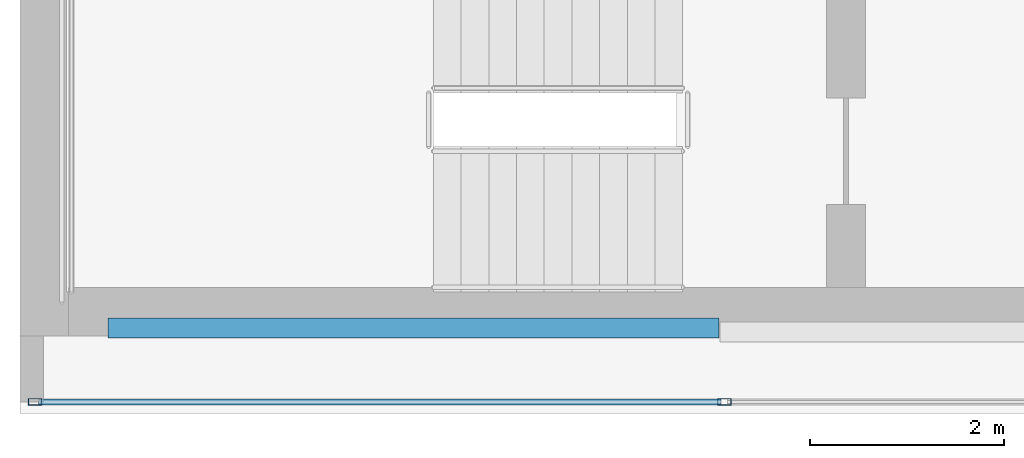
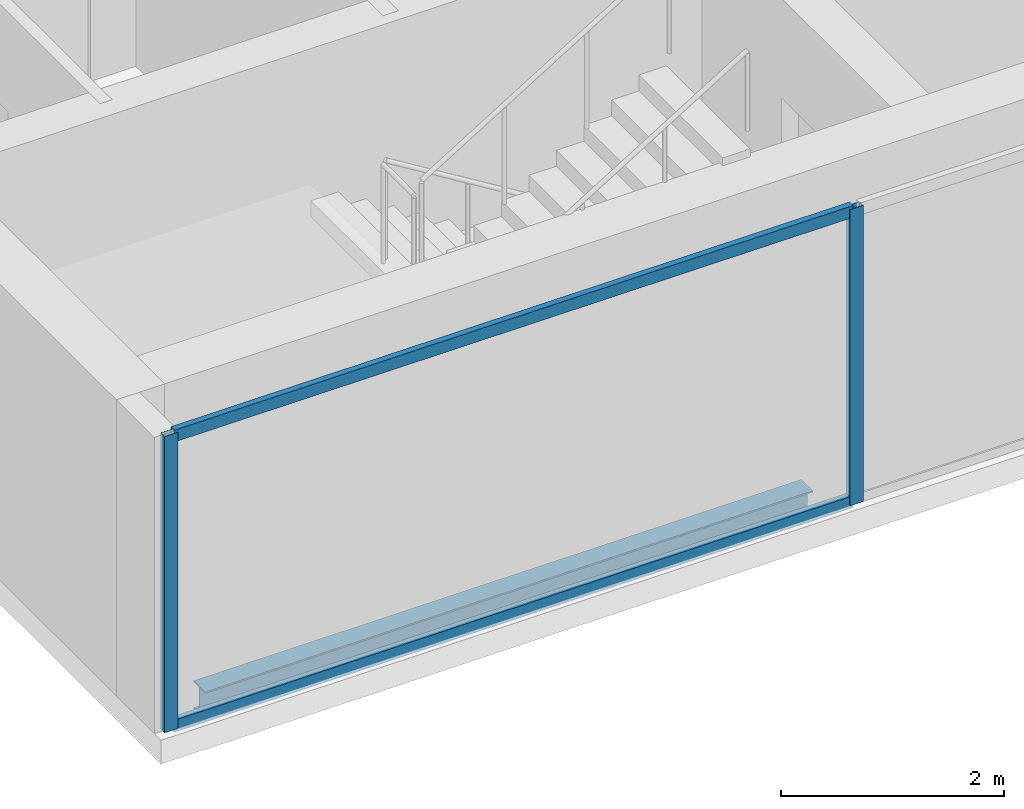
# One storey, part 2 of 23: 4 members, 1 beam, 1 element without a shape of its own.
"""IFC4 building model written with IfcOpenShell, lengths in metres."""

import ifcopenshell
import ifcopenshell.guid

model = None  # the IFC model being written
_history = None  # IfcOwnerHistory: only IFC2X3 demands one
_inside = {}  # id of a spatial element -> (the spatial element, [elements in it])
_under = {}  # id of a project, library or spatial element -> (it, [spatial elements below it])
_declared = {}  # id of a project -> (the project, [libraries it declares])
_typed = {}  # id of a type object -> (the type object, [elements of that type])
_made_of = {}  # id of a material, layer set ... -> (it, [elements and type objects made of it])


def new_model(schema):
    """Start an empty IFC model of exactly this schema.

    Asked for "IFC4X3", IfcOpenShell would pick the latest addendum, in which some entities
    have other attributes; the version numbers below select the first issue.
    IFC2X3 requires an IfcOwnerHistory on every rooted entity: one is made here for all.
    """
    global model, _history
    if schema == "IFC4X3":
        model = ifcopenshell.file(schema_version=(4, 3, 0, 0))
    else:
        model = ifcopenshell.file(schema=schema)
    _inside.clear()
    _under.clear()
    _declared.clear()
    _typed.clear()
    _made_of.clear()
    _history = None
    if model.schema == "IFC2X3":
        org = make("IfcOrganization", Name="unknown")
        user = make(
            "IfcPersonAndOrganization",
            ThePerson=make("IfcPerson", FamilyName="unknown"),
            TheOrganization=org,
        )
        app = make(
            "IfcApplication",
            ApplicationDeveloper=org,
            Version="unknown",
            ApplicationFullName="unknown",
            ApplicationIdentifier="unknown",
        )
        _history = make(
            "IfcOwnerHistory",
            OwningUser=user,
            OwningApplication=app,
            ChangeAction="ADDED",
            CreationDate=0,
        )
    return model


def make(cls, **values):
    """One entity of the class cls with the attributes given. An attribute that is None is left unset."""
    return model.create_entity(
        cls, **{name: value for name, value in values.items() if value is not None}
    )


def rooted(cls, **values):
    """An entity with a GlobalId (a new one), such as an element, a storey or a relation."""
    return make(cls, GlobalId=ifcopenshell.guid.new(), OwnerHistory=_history, **values)


def si_unit(unit_type, name, prefix=None):
    """IfcSIUnit, for example si_unit("LENGTHUNIT", "METRE", prefix="MILLI")."""
    return make("IfcSIUnit", UnitType=unit_type, Prefix=prefix, Name=name)


def assignment(units):
    """IfcUnitAssignment: the units of a project."""
    return None if units is None else make("IfcUnitAssignment", Units=units)


def point(xyz):
    """IfcCartesianPoint."""
    return None if xyz is None else make("IfcCartesianPoint", Coordinates=xyz)


def direction(xyz):
    """IfcDirection."""
    return None if xyz is None else make("IfcDirection", DirectionRatios=xyz)


def frame(location, z_axis=None, x_axis=None):
    """IfcAxis2Placement3D, a coordinate frame: its origin and axes. An axis left out is left unset."""
    return make(
        "IfcAxis2Placement3D",
        Location=point(location),
        Axis=direction(z_axis),
        RefDirection=direction(x_axis),
    )


def frame_2d(location, x_axis=None):
    """IfcAxis2Placement2D, a coordinate frame in the plane: its origin and x axis."""
    return make(
        "IfcAxis2Placement2D", Location=point(location), RefDirection=direction(x_axis)
    )


def origin():
    """The frame at (0, 0, 0) with its axes left unset."""
    return frame((0.0, 0.0, 0.0))


def origin_2d():
    """The frame at (0, 0) in the plane with its x axis left unset."""
    return frame_2d((0.0, 0.0))


def place(relative_to, where):
    """IfcLocalPlacement: puts the frame where relative to a parent placement (None: the world)."""
    return make(
        "IfcLocalPlacement", PlacementRelTo=relative_to, RelativePlacement=where
    )


def context(
    kind, dimensions, precision=None, world=None, true_north=None, identifier=None
):
    """IfcGeometricRepresentationContext, for example the 3D "Model" context."""
    return make(
        "IfcGeometricRepresentationContext",
        ContextIdentifier=identifier,
        ContextType=kind,
        CoordinateSpaceDimension=dimensions,
        Precision=precision,
        WorldCoordinateSystem=world,
        TrueNorth=true_north,
    )


def subcontext(parent, identifier, kind, view, scale=None):
    """IfcGeometricRepresentationSubContext, for example "Body" below "Model"."""
    return make(
        "IfcGeometricRepresentationSubContext",
        ContextIdentifier=identifier,
        ContextType=kind,
        ParentContext=parent,
        TargetScale=scale,
        TargetView=view,
    )


def project(units=None, contexts=None):
    """IfcProject with its units and contexts."""
    return rooted(
        "IfcProject",
        Name="project",
        RepresentationContexts=contexts,
        UnitsInContext=assignment(units),
    )


def spatial(cls, under=None, at=None, **own):
    """A site, building, storey or space (cls), placed at a placement, below another one or the project."""
    s = rooted(cls, ObjectPlacement=at, **own)
    if under is not None:
        _under.setdefault(under.id(), (under, []))[1].append(s)
    return s


def profile(cls, at=None, kind="AREA", **sizes):
    """A parametric profile (cls). Its sizes go by their IFC names, for example OverallWidth=200.0."""
    return make(cls, ProfileType=kind, Position=at, **sizes)


def hollow_rectangle(**sizes):
    """IfcRectangleHollowProfileDef."""
    return profile("IfcRectangleHollowProfileDef", **sizes)


def i_section(**sizes):
    """IfcIShapeProfileDef."""
    return profile("IfcIShapeProfileDef", **sizes)


def extrude(swept, where, along, depth):
    """IfcExtrudedAreaSolid: the profile swept, set in the frame where, extruded along a direction by depth."""
    return make(
        "IfcExtrudedAreaSolid",
        SweptArea=swept,
        Position=where,
        ExtrudedDirection=direction(along),
        Depth=depth,
    )


def shape(context_of_items, identifier, shape_type, items):
    """IfcShapeRepresentation: the items that make up one representation, for example the "Body"."""
    return make(
        "IfcShapeRepresentation",
        ContextOfItems=context_of_items,
        RepresentationIdentifier=identifier,
        RepresentationType=shape_type,
        Items=items,
    )


def material(Name=None, Category=None):
    """IfcMaterial."""
    return make("IfcMaterial", Name=Name, Category=Category)


def material_profile(
    of_material, cross_section, Name=None, Category=None, Priority=None
):
    """IfcMaterialProfile: a cross section and its material."""
    return make(
        "IfcMaterialProfile",
        Name=Name,
        Material=of_material,
        Profile=cross_section,
        Priority=Priority,
        Category=Category,
    )


def profile_set(profiles, Name=None, composite=None):
    """IfcMaterialProfileSet."""
    return make(
        "IfcMaterialProfileSet",
        Name=Name,
        MaterialProfiles=profiles,
        CompositeProfile=composite,
    )


def made_of(thing, what):
    """Note that an element or type object is made of a material, layer set ...; save() writes the relation."""
    if what is not None:
        _made_of.setdefault(what.id(), (what, []))[1].append(thing)
    return thing


def type_object(cls, material=None, **own):
    """A type object (cls), such as IfcWallType, which elements share."""
    return made_of(rooted(cls, **own), material)


def element(
    cls,
    number,
    at=None,
    inside=None,
    cuts=None,
    type_object=None,
    material=None,
    context=None,
    identifier="Body",
    shape_type=None,
    held_by="IfcProductDefinitionShape",
    body=None,
    shapes=None,
    **own,
):
    """One element of the class cls, such as IfcWall. Its Tag is "e" and its number.

    at: its placement. inside: the storey or other place that contains it. cuts: it is an
    opening in that element (IfcRelVoidsElement). A single representation is given by context,
    identifier, shape_type and body (its items); several are given by shapes. held_by: the class
    of the entity that holds the representations. save() writes the other relations.
    """
    e = rooted(cls, Tag="e%d" % number, ObjectPlacement=at, **own)
    if body is not None:
        shapes = [shape(context, identifier, shape_type, body)]
    if shapes is not None:
        e.Representation = make(held_by, Representations=shapes)
    if inside is not None:
        _inside.setdefault(inside.id(), (inside, []))[1].append(e)
    if cuts is not None:
        rooted(
            "IfcRelVoidsElement", RelatingBuildingElement=cuts, RelatedOpeningElement=e
        )
    if type_object is not None:
        _typed.setdefault(type_object.id(), (type_object, []))[1].append(e)
    return made_of(e, material)


def aggregate(whole, parts):
    """IfcRelAggregates: a whole, such as a stair, and the parts it consists of."""
    return rooted("IfcRelAggregates", RelatingObject=whole, RelatedObjects=parts)


def save(model, path):
    """Write the relations noted so far, then the file.

    IfcRelAggregates (storeys below a building ...), IfcRelContainedInSpatialStructure (elements
    in a storey), IfcRelDefinesByType, IfcRelAssociatesMaterial and IfcRelDeclares: one each for
    every whole, place, type object, material and project.
    """
    for whole, parts in _under.values():
        aggregate(whole, parts)
    for where, things in _inside.values():
        rooted(
            "IfcRelContainedInSpatialStructure",
            RelatedElements=things,
            RelatingStructure=where,
        )
    for kind, things in _typed.values():
        rooted("IfcRelDefinesByType", RelatedObjects=things, RelatingType=kind)
    for what, things in _made_of.values():
        rooted("IfcRelAssociatesMaterial", RelatedObjects=things, RelatingMaterial=what)
    for by, libraries in _declared.values():
        rooted("IfcRelDeclares", RelatingContext=by, RelatedDefinitions=libraries)
    model.write(path)


model = new_model("IFC4")

# Units and contexts
model_context = context("Model", 3, precision=1e-05, world=origin(), true_north=direction((0.0, 1.0)))
body_context = subcontext(model_context, "Body", "Model", "MODEL_VIEW")
ifc_project = project(units=[si_unit("LENGTHUNIT", "METRE"), si_unit("AREAUNIT", "SQUARE_METRE"), si_unit("VOLUMEUNIT", "CUBIC_METRE"), si_unit("PLANEANGLEUNIT", "RADIAN"), si_unit("MASSUNIT", "GRAM", prefix="KILO")], contexts=[model_context])

# Site, building, storey
site_placement = place(None, origin())
site = spatial("IfcSite", under=ifc_project, at=site_placement, CompositionType="ELEMENT")
building_placement = place(site_placement, origin())
building = spatial("IfcBuilding", under=site, at=building_placement, Name="Cobrela Telecom Tower", CompositionType="ELEMENT")
storey_placement = place(building_placement, frame((0.0, 0.0, 262.14990234375)))
storey = spatial("IfcBuildingStorey", under=building, at=storey_placement, Name="L68", CompositionType="ELEMENT", Elevation=262.14990234375)

# Beam
ifc_material_1 = material(Name="Steel ASTM A992 Grade 50", Category="steel")
ifc_material_profile_1 = material_profile(ifc_material_1, i_section(OverallWidth=0.205078125, OverallDepth=0.31005859375, WebThickness=0.009521484375, FlangeThickness=0.016357421875, FilletRadius=0.010986328125, at=origin_2d()), Name="W12X50")
ifc_profile_set_1 = profile_set([ifc_material_profile_1], Name="Steel ASTM A992 Grade 50")
beam_type = type_object("IfcBeamType", Name="BM-SPAND-07", PredefinedType="SPANDREL", material=ifc_profile_set_1)
beam_placement = place(storey_placement, frame((0.905029296875, 7.280029296875, -0.414794921875), z_axis=(1.0, 0.0, 0.0), x_axis=(0.0, 1.0, 0.0)))
element("IfcBeam", 1, at=beam_placement, inside=storey, type_object=beam_type, Name="L68 Perimeter Spandrel X01", PredefinedType="SPANDREL", context=body_context, shape_type="SweptSolid", body=[
    extrude(i_section(OverallWidth=0.205078125, OverallDepth=0.31005859375, WebThickness=0.009521484375, FlangeThickness=0.016357421875, FilletRadius=0.010986328125, at=origin_2d()), origin(), (0.0, 0.0, 1.0), 6.2900390625),
])

# Curtain wall, members
ifc_material_2 = material(Name="Anodized Bronze Aluminium 6063-T6", Category="aluminium")
curtain_wall_type = type_object("IfcCurtainWallType", Name="CW-SYS-OFF-HI", PredefinedType="USERDEFINED", material=ifc_material_2)
curtain_wall_placement = place(storey_placement, origin())
curtain_wall = element("IfcCurtainWall", 2, at=curtain_wall_placement, inside=storey, type_object=curtain_wall_type, Name="L68 Unitised Bronze Curtain Wall 15", ObjectType="UNITISED CURTAIN WALL", PredefinedType="USERDEFINED")
ifc_material_profile_2 = material_profile(ifc_material_2, hollow_rectangle(XDim=0.070068359375, YDim=0.139892578125, WallThickness=0.00390625, at=origin_2d()), Name="ALU 70x140x4")
ifc_profile_set_2 = profile_set([ifc_material_profile_2], Name="Anodized Bronze Aluminium 6063-T6")
member_type_1 = type_object("IfcMemberType", Name="CW-SYS-OFF-HI-MUL", PredefinedType="MULLION", material=ifc_profile_set_2)
member_1_placement = place(storey_placement, frame((7.248291015625, 6.52001953125, 0.0), z_axis=(0.0, 0.0, 1.0), x_axis=(0.0, -1.0, 0.0)))
member_1 = element("IfcMember", 3, at=member_1_placement, type_object=member_type_1, Name="CW-OFF-HI mullion 6", PredefinedType="MULLION", context=body_context, shape_type="SweptSolid", body=[
    extrude(hollow_rectangle(XDim=0.070068359375, YDim=0.139892578125, WallThickness=0.00390625, at=origin_2d()), origin(), (0.0, 0.0, 1.0), 3.239990234375),
])
member_2_placement = place(storey_placement, frame((0.155029296875, 6.52001953125, 0.0), z_axis=(0.0, 0.0, 1.0), x_axis=(0.0, -1.0, 0.0)))
member_2 = element("IfcMember", 4, at=member_2_placement, type_object=member_type_1, Name="CW-OFF-HI mullion 7", PredefinedType="MULLION", context=body_context, shape_type="SweptSolid", body=[
    extrude(hollow_rectangle(XDim=0.070068359375, YDim=0.139892578125, WallThickness=0.00390625, at=origin_2d()), origin(), (0.0, 0.0, 1.0), 3.239990234375),
])
ifc_material_profile_3 = material_profile(ifc_material_2, hollow_rectangle(XDim=0.06494140625, YDim=0.1298828125, WallThickness=0.00390625, at=origin_2d()), Name="ALU 65x130x4")
ifc_profile_set_3 = profile_set([ifc_material_profile_3], Name="Anodized Bronze Aluminium 6063-T6")
member_type_2 = type_object("IfcMemberType", Name="CW-SYS-OFF-HI-TRN", PredefinedType="USERDEFINED", material=ifc_profile_set_3)
member_3_placement = place(storey_placement, frame((7.21337890625, 6.52001953125, 0.03271484375), z_axis=(-1.0, 0.0, 0.0), x_axis=(0.0, -1.0, 0.0)))
member_3 = element("IfcMember", 5, at=member_3_placement, type_object=member_type_2, Name="CW-OFF-HI transom 6.1", ObjectType="TRANSOM", PredefinedType="USERDEFINED", context=body_context, shape_type="SweptSolid", body=[
    extrude(hollow_rectangle(XDim=0.06494140625, YDim=0.1298828125, WallThickness=0.00390625, at=origin_2d()), origin(), (0.0, 0.0, 1.0), 7.0234375),
])
member_4_placement = place(storey_placement, frame((7.21337890625, 6.52001953125, 3.20751953125), z_axis=(-1.0, 0.0, 0.0), x_axis=(0.0, -1.0, 0.0)))
member_4 = element("IfcMember", 6, at=member_4_placement, type_object=member_type_2, Name="CW-OFF-HI transom 6.2", ObjectType="TRANSOM", PredefinedType="USERDEFINED", context=body_context, shape_type="SweptSolid", body=[
    extrude(hollow_rectangle(XDim=0.06494140625, YDim=0.1298828125, WallThickness=0.00390625, at=origin_2d()), origin(), (0.0, 0.0, 1.0), 7.0234375),
])
aggregate(curtain_wall, [member_1, member_2, member_3, member_4])

save(model, "model.ifc")
